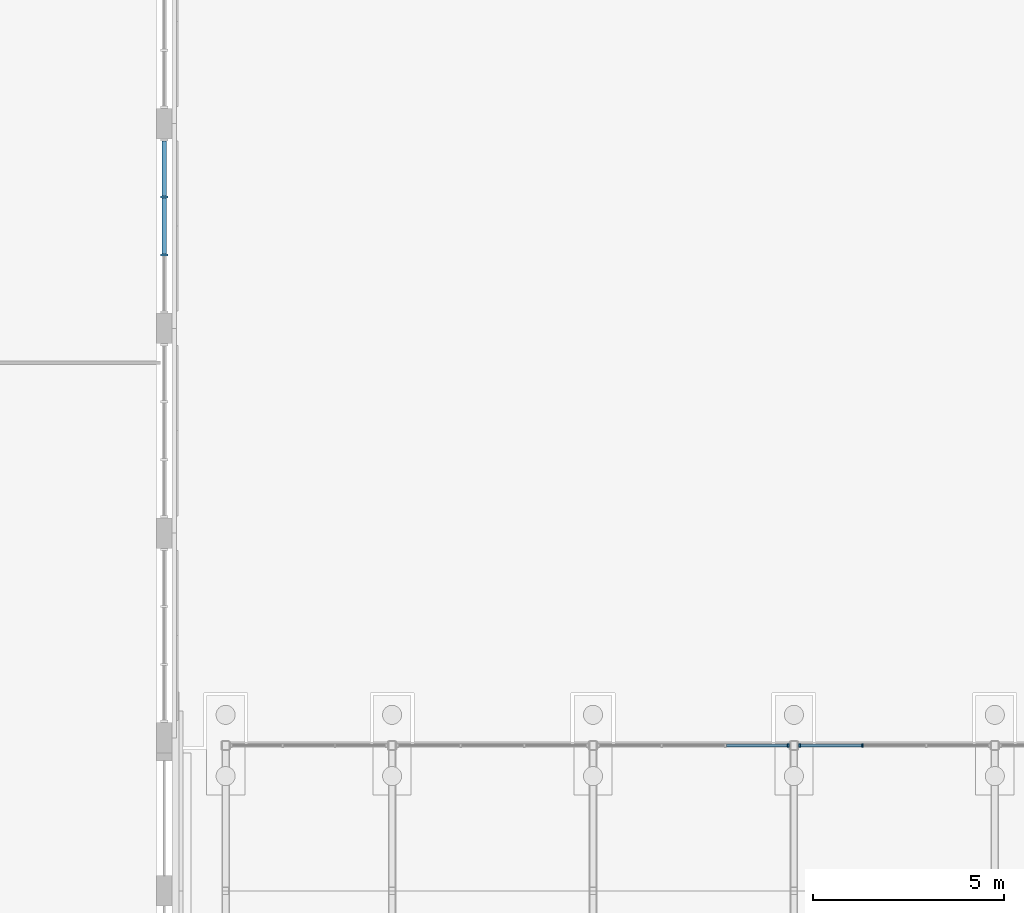
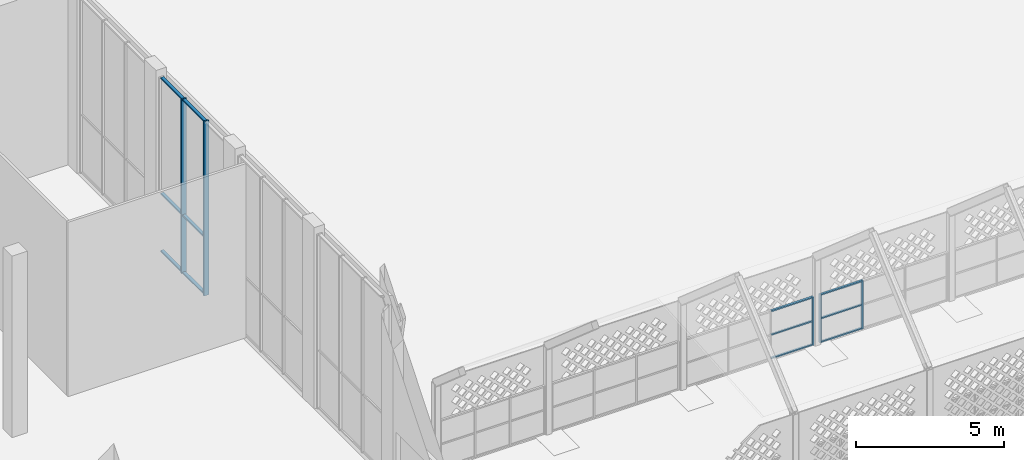
# One storey, part 26 of 79: 17 members, 3 elements without a shape of their own.
"""IFC4 building model written with IfcOpenShell, lengths in metres."""

from ifc_helpers import new_model, si_unit, direction, frame, origin, origin_2d, place, context, subcontext, project, spatial, rectangle, extrude, material, layer, layer_set, material_profile, profile_set, type_object, element, aggregate, save


model = new_model("IFC4")

# Units and contexts
model_context = context("Model", 3, precision=1e-05, world=origin(), true_north=direction((0.0, 1.0)))
body_context = subcontext(model_context, "Body", "Model", "MODEL_VIEW")
ifc_project = project(units=[si_unit("LENGTHUNIT", "METRE"), si_unit("AREAUNIT", "SQUARE_METRE"), si_unit("VOLUMEUNIT", "CUBIC_METRE"), si_unit("PLANEANGLEUNIT", "RADIAN"), si_unit("MASSUNIT", "GRAM", prefix="KILO")], contexts=[model_context])

# Site, building, storey
site_placement = place(None, origin())
site = spatial("IfcSite", under=ifc_project, at=site_placement, CompositionType="ELEMENT")
building_placement = place(site_placement, origin())
building = spatial("IfcBuilding", under=site, at=building_placement, Name="Noorbagh Ring Tower", CompositionType="ELEMENT")
storey_placement = place(building_placement, origin())
storey = spatial("IfcBuildingStorey", under=building, at=storey_placement, Name="L00", CompositionType="ELEMENT", Elevation=0.0)

# Curtain wall, member
ifc_material_1 = material(Name="Aluminium and glass", Category="aluminium")
ifc_layer_1 = layer(ifc_material_1, 0.10009765625)
ifc_layer_set_1 = layer_set([ifc_layer_1], Name="Aluminium and glass")
curtain_wall_type_1 = type_object("IfcCurtainWallType", Name="AR-CW", PredefinedType="NOTDEFINED", material=ifc_layer_set_1)
curtain_wall_1_placement = place(storey_placement, origin())
curtain_wall_1 = element("IfcCurtainWall", 1, at=curtain_wall_1_placement, inside=storey, type_object=curtain_wall_type_1, Name="Arcade glazing", PredefinedType="NOTDEFINED")
ifc_material_2 = material(Name="Aluminium", Category="aluminium")
ifc_material_profile_1 = material_profile(ifc_material_2, rectangle(XDim=0.10009765625, YDim=0.050048828125, at=origin_2d()), Name="AL 100x50")
ifc_profile_set_1 = profile_set([ifc_material_profile_1], Name="Aluminium")
member_type_1 = type_object("IfcMemberType", Name="AR-CW-MULLION", PredefinedType="MULLION", material=ifc_profile_set_1)
member_1_placement = place(storey_placement, frame((-78.89990234375, 8.800048828125, 0.0), z_axis=(0.0, 0.0, 1.0), x_axis=(0.0, 1.0, 0.0)))
member_1 = element("IfcMember", 2, at=member_1_placement, type_object=member_type_1, Name="CW-A mullion 4", PredefinedType="MULLION", context=body_context, shape_type="SweptSolid", body=[
    extrude(rectangle(XDim=0.10009765625, YDim=0.050048828125, at=origin_2d()), origin(), (0.0, 0.0, 1.0), 2.0),
])

# Curtain wall, members
curtain_wall_2_placement = place(storey_placement, origin())
curtain_wall_2 = element("IfcCurtainWall", 3, at=curtain_wall_2_placement, inside=storey, type_object=curtain_wall_type_1, Name="Arcade glazing", PredefinedType="NOTDEFINED")
member_2_placement = place(storey_placement, frame((-78.60009765625, 8.800048828125, 0.0), z_axis=(0.0, 0.0, 1.0), x_axis=(0.0, 1.0, 0.0)))
member_2 = element("IfcMember", 4, at=member_2_placement, type_object=member_type_1, Name="CW-A mullion 1", PredefinedType="MULLION", context=body_context, shape_type="SweptSolid", body=[
    extrude(rectangle(XDim=0.10009765625, YDim=0.050048828125, at=origin_2d()), origin(), (0.0, 0.0, 1.0), 2.0),
])
member_3_placement = place(storey_placement, frame((-76.958251953125, 8.800048828125, 0.0), z_axis=(0.0, 0.0, 1.0), x_axis=(0.0, 1.0, 0.0)))
member_3 = element("IfcMember", 5, at=member_3_placement, type_object=member_type_1, Name="CW-A mullion 2", PredefinedType="MULLION", context=body_context, shape_type="SweptSolid", body=[
    extrude(rectangle(XDim=0.10009765625, YDim=0.050048828125, at=origin_2d()), origin(), (0.0, 0.0, 1.0), 2.0),
])

# Member
ifc_material_3 = material(Name="Aluminium", Category="aluminium")
ifc_material_profile_2 = material_profile(ifc_material_3, rectangle(XDim=0.080078125, YDim=0.050048828125, at=origin_2d()), Name="AL 80x50")
ifc_profile_set_2 = profile_set([ifc_material_profile_2], Name="Aluminium")
member_type_2 = type_object("IfcMemberType", Name="AR-CW-TRANSOM", PredefinedType="USERDEFINED", material=ifc_profile_set_2)
member_4_placement = place(storey_placement, frame((-80.5166015625, 8.800048828125, 0.02490234375), z_axis=(1.0, 0.0, 0.0), x_axis=(0.0, 1.0, 0.0)))
member_4 = element("IfcMember", 6, at=member_4_placement, type_object=member_type_2, Name="CW-A transom 3.1", ObjectType="TRANSOM", PredefinedType="USERDEFINED", context=body_context, shape_type="SweptSolid", body=[
    extrude(rectangle(XDim=0.080078125, YDim=0.050048828125, at=origin_2d()), origin(), (0.0, 0.0, 1.0), 1.591552734375),
])

member_5_placement = place(storey_placement, frame((-80.5166015625, 8.800048828125, 1.0), z_axis=(1.0, 0.0, 0.0), x_axis=(0.0, 1.0, 0.0)))
member_5 = element("IfcMember", 7, at=member_5_placement, type_object=member_type_2, Name="CW-A transom 3.2", ObjectType="TRANSOM", PredefinedType="USERDEFINED", context=body_context, shape_type="SweptSolid", body=[
    extrude(rectangle(XDim=0.080078125, YDim=0.050048828125, at=origin_2d()), origin(), (0.0, 0.0, 1.0), 1.591552734375),
])

member_6_placement = place(storey_placement, frame((-80.5166015625, 8.800048828125, 1.97509765625), z_axis=(1.0, 0.0, 0.0), x_axis=(0.0, 1.0, 0.0)))
member_6 = element("IfcMember", 8, at=member_6_placement, type_object=member_type_2, Name="CW-A transom 3.3", ObjectType="TRANSOM", PredefinedType="USERDEFINED", context=body_context, shape_type="SweptSolid", body=[
    extrude(rectangle(XDim=0.080078125, YDim=0.050048828125, at=origin_2d()), origin(), (0.0, 0.0, 1.0), 1.591552734375),
])

aggregate(curtain_wall_1, [member_1, member_4, member_5, member_6])

member_7_placement = place(storey_placement, frame((-78.574951171875, 8.800048828125, 0.02490234375), z_axis=(1.0, 0.0, 0.0), x_axis=(0.0, 1.0, 0.0)))
member_7 = element("IfcMember", 9, at=member_7_placement, type_object=member_type_2, Name="CW-A transom 1.1", ObjectType="TRANSOM", PredefinedType="USERDEFINED", context=body_context, shape_type="SweptSolid", body=[
    extrude(rectangle(XDim=0.080078125, YDim=0.050048828125, at=origin_2d()), origin(), (0.0, 0.0, 1.0), 1.591552734375),
])

member_8_placement = place(storey_placement, frame((-78.574951171875, 8.800048828125, 1.0), z_axis=(1.0, 0.0, 0.0), x_axis=(0.0, 1.0, 0.0)))
member_8 = element("IfcMember", 10, at=member_8_placement, type_object=member_type_2, Name="CW-A transom 1.2", ObjectType="TRANSOM", PredefinedType="USERDEFINED", context=body_context, shape_type="SweptSolid", body=[
    extrude(rectangle(XDim=0.080078125, YDim=0.050048828125, at=origin_2d()), origin(), (0.0, 0.0, 1.0), 1.591552734375),
])

member_9_placement = place(storey_placement, frame((-78.574951171875, 8.800048828125, 1.97509765625), z_axis=(1.0, 0.0, 0.0), x_axis=(0.0, 1.0, 0.0)))
member_9 = element("IfcMember", 11, at=member_9_placement, type_object=member_type_2, Name="CW-A transom 1.3", ObjectType="TRANSOM", PredefinedType="USERDEFINED", context=body_context, shape_type="SweptSolid", body=[
    extrude(rectangle(XDim=0.080078125, YDim=0.050048828125, at=origin_2d()), origin(), (0.0, 0.0, 1.0), 1.591552734375),
])

aggregate(curtain_wall_2, [member_2, member_3, member_7, member_8, member_9])

# Curtain wall, members
ifc_material_4 = material(Name="Aluminium and glass", Category="aluminium")
ifc_layer_2 = layer(ifc_material_4, 0.199951171875)
ifc_layer_set_2 = layer_set([ifc_layer_2], Name="Aluminium and glass")
curtain_wall_type_2 = type_object("IfcCurtainWallType", Name="TH-CW", PredefinedType="NOTDEFINED", material=ifc_layer_set_2)
curtain_wall_3_placement = place(storey_placement, origin())
curtain_wall_3 = element("IfcCurtainWall", 12, at=curtain_wall_3_placement, inside=storey, type_object=curtain_wall_type_2, Name="Foyer glazing", PredefinedType="NOTDEFINED")
ifc_material_5 = material(Name="Aluminium", Category="aluminium")
ifc_material_profile_3 = material_profile(ifc_material_5, rectangle(XDim=0.199951171875, YDim=0.06005859375, at=origin_2d()), Name="AL 200x60")
ifc_profile_set_3 = profile_set([ifc_material_profile_3], Name="Aluminium")
member_type_3 = type_object("IfcMemberType", Name="TH-CW-MULLION", PredefinedType="MULLION", material=ifc_profile_set_3)
member_10_placement = place(storey_placement, frame((-95.199951171875, 21.61669921875, 0.0), z_axis=(0.0, 0.0, 1.0), x_axis=(-1.0, 0.0, 0.0)))
member_10 = element("IfcMember", 13, at=member_10_placement, type_object=member_type_3, Name="CW-T mullion 2", PredefinedType="MULLION", context=body_context, shape_type="SweptSolid", body=[
    extrude(rectangle(XDim=0.199951171875, YDim=0.06005859375, at=origin_2d()), origin(), (0.0, 0.0, 1.0), 7.199951171875),
])
member_11_placement = place(storey_placement, frame((-95.199951171875, 23.13330078125, 0.0), z_axis=(0.0, 0.0, 1.0), x_axis=(-1.0, 0.0, 0.0)))
member_11 = element("IfcMember", 14, at=member_11_placement, type_object=member_type_3, Name="CW-T mullion 3", PredefinedType="MULLION", context=body_context, shape_type="SweptSolid", body=[
    extrude(rectangle(XDim=0.199951171875, YDim=0.06005859375, at=origin_2d()), origin(), (0.0, 0.0, 1.0), 7.199951171875),
])
ifc_material_6 = material(Name="Aluminium", Category="aluminium")
ifc_material_profile_4 = material_profile(ifc_material_6, rectangle(XDim=0.1201171875, YDim=0.06005859375, at=origin_2d()), Name="AL 120x60")
ifc_profile_set_4 = profile_set([ifc_material_profile_4], Name="Aluminium")
member_type_4 = type_object("IfcMemberType", Name="TH-CW-TRANSOM", PredefinedType="USERDEFINED", material=ifc_profile_set_4)
member_12_placement = place(storey_placement, frame((-95.199951171875, 21.646728515625, 0.030029296875), z_axis=(0.0, 1.0, 0.0), x_axis=(-1.0, 0.0, 0.0)))
member_12 = element("IfcMember", 15, at=member_12_placement, type_object=member_type_4, Name="CW-T transom 2.1", ObjectType="TRANSOM", PredefinedType="USERDEFINED", context=body_context, shape_type="SweptSolid", body=[
    extrude(rectangle(XDim=0.1201171875, YDim=0.06005859375, at=origin_2d()), origin(), (0.0, 0.0, 1.0), 1.45654296875),
])
member_13_placement = place(storey_placement, frame((-95.199951171875, 21.646728515625, 2.39990234375), z_axis=(0.0, 1.0, 0.0), x_axis=(-1.0, 0.0, 0.0)))
member_13 = element("IfcMember", 16, at=member_13_placement, type_object=member_type_4, Name="CW-T transom 2.2", ObjectType="TRANSOM", PredefinedType="USERDEFINED", context=body_context, shape_type="SweptSolid", body=[
    extrude(rectangle(XDim=0.1201171875, YDim=0.06005859375, at=origin_2d()), origin(), (0.0, 0.0, 1.0), 1.45654296875),
])
member_14_placement = place(storey_placement, frame((-95.199951171875, 21.646728515625, 7.169921875), z_axis=(0.0, 1.0, 0.0), x_axis=(-1.0, 0.0, 0.0)))
member_14 = element("IfcMember", 17, at=member_14_placement, type_object=member_type_4, Name="CW-T transom 2.3", ObjectType="TRANSOM", PredefinedType="USERDEFINED", context=body_context, shape_type="SweptSolid", body=[
    extrude(rectangle(XDim=0.1201171875, YDim=0.06005859375, at=origin_2d()), origin(), (0.0, 0.0, 1.0), 1.45654296875),
])
member_15_placement = place(storey_placement, frame((-95.199951171875, 23.163330078125, 0.030029296875), z_axis=(0.0, 1.0, 0.0), x_axis=(-1.0, 0.0, 0.0)))
member_15 = element("IfcMember", 18, at=member_15_placement, type_object=member_type_4, Name="CW-T transom 3.1", ObjectType="TRANSOM", PredefinedType="USERDEFINED", context=body_context, shape_type="SweptSolid", body=[
    extrude(rectangle(XDim=0.1201171875, YDim=0.06005859375, at=origin_2d()), origin(), (0.0, 0.0, 1.0), 1.4267578125),
])
member_16_placement = place(storey_placement, frame((-95.199951171875, 23.163330078125, 2.39990234375), z_axis=(0.0, 1.0, 0.0), x_axis=(-1.0, 0.0, 0.0)))
member_16 = element("IfcMember", 19, at=member_16_placement, type_object=member_type_4, Name="CW-T transom 3.2", ObjectType="TRANSOM", PredefinedType="USERDEFINED", context=body_context, shape_type="SweptSolid", body=[
    extrude(rectangle(XDim=0.1201171875, YDim=0.06005859375, at=origin_2d()), origin(), (0.0, 0.0, 1.0), 1.4267578125),
])
member_17_placement = place(storey_placement, frame((-95.199951171875, 23.163330078125, 7.169921875), z_axis=(0.0, 1.0, 0.0), x_axis=(-1.0, 0.0, 0.0)))
member_17 = element("IfcMember", 20, at=member_17_placement, type_object=member_type_4, Name="CW-T transom 3.3", ObjectType="TRANSOM", PredefinedType="USERDEFINED", context=body_context, shape_type="SweptSolid", body=[
    extrude(rectangle(XDim=0.1201171875, YDim=0.06005859375, at=origin_2d()), origin(), (0.0, 0.0, 1.0), 1.4267578125),
])
aggregate(curtain_wall_3, [member_10, member_11, member_12, member_13, member_14, member_15, member_16, member_17])

save(model, "model.ifc")
